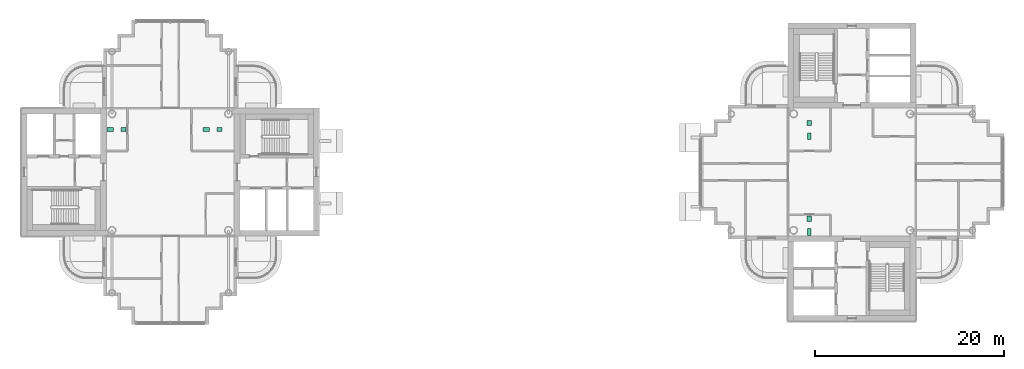
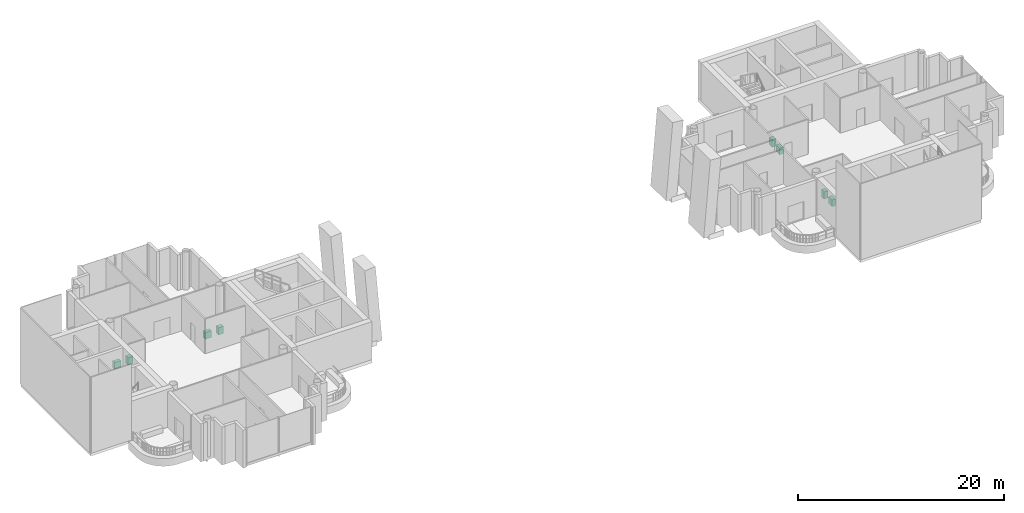
# One storey, part 19 of 19: 8 sanitary terminals.
"""IFC4 building model written with IfcOpenShell, lengths in metres."""

from ifc_helpers import new_model, si_unit, direction, frame, origin, origin_2d, place, context, subcontext, project, spatial, rectangle, extrude, material, type_object, element, save


model = new_model("IFC4")

# Units and contexts
model_context = context("Model", 3, precision=1e-05, world=origin(), true_north=direction((0.0, 1.0)))
body_context = subcontext(model_context, "Body", "Model", "MODEL_VIEW")
ifc_project = project(units=[si_unit("LENGTHUNIT", "METRE"), si_unit("AREAUNIT", "SQUARE_METRE"), si_unit("VOLUMEUNIT", "CUBIC_METRE"), si_unit("PLANEANGLEUNIT", "RADIAN"), si_unit("MASSUNIT", "GRAM", prefix="KILO")], contexts=[model_context])

# Site, building, storey
site_placement = place(None, origin())
site = spatial("IfcSite", under=ifc_project, at=site_placement, CompositionType="ELEMENT")
building_placement = place(site_placement, origin())
building = spatial("IfcBuilding", under=site, at=building_placement, Name="Ipe Terrace Towers", CompositionType="ELEMENT")
storey_placement = place(building_placement, frame((0.0, 0.0, 237.89990234375)))
storey = spatial("IfcBuildingStorey", under=building, at=storey_placement, Name="L66", CompositionType="ELEMENT", Elevation=237.89990234375)

# Sanitary terminals
ifc_material_1 = material(Name="Vitreous china", Category="ceramic")
sanitary_terminal_type_1 = type_object("IfcSanitaryTerminalType", Name="Wash basin", PredefinedType="WASHHANDBASIN", material=ifc_material_1)
for number, where, z_axis, x_axis, name in (
    (1, (-30.800048828125, 4.5, 0.0), (0.0, 0.0, 1.0), (1.0, 0.0, 0.0), "Wash basin"),
    (2, (-40.925048828125, 4.5, 0.0), (0.0, 0.0, 1.0), (1.0, 0.0, 0.0), "Wash basin"),
    (3, (31.5, 5.199951171875, 0.0), (0.0, 0.0, 1.0), (0.0, 1.0, 0.0), "Wash basin"),
    (4, (31.5, -4.925048828125, 0.0), (0.0, 0.0, 1.0), (0.0, 1.0, 0.0), "Wash basin"),
):
    element("IfcSanitaryTerminal", number, at=place(storey_placement, frame(where, z_axis=z_axis, x_axis=x_axis)), inside=storey, type_object=sanitary_terminal_type_1, Name=name, PredefinedType="WASHHANDBASIN", context=body_context, shape_type="SweptSolid", body=[
        extrude(rectangle(XDim=0.550048828125, YDim=0.449951171875, at=origin_2d()), origin(), (0.0, 0.0, 1.0), 0.85009765625),
    ])
ifc_material_2 = material(Name="Vitreous china", Category="ceramic")
sanitary_terminal_type_2 = type_object("IfcSanitaryTerminalType", Name="Water closet", PredefinedType="TOILETPAN", material=ifc_material_2)
for number, where, z_axis, x_axis, name in (
    (5, (-32.199951171875, 4.5, 0.0), (0.0, 0.0, 1.0), (1.0, 0.0, 0.0), "Water closet"),
    (6, (-42.324951171875, 4.5, 0.0), (0.0, 0.0, 1.0), (1.0, 0.0, 0.0), "Water closet"),
    (7, (31.5, 3.800048828125, 0.0), (0.0, 0.0, 1.0), (0.0, 1.0, 0.0), "Water closet"),
    (8, (31.5, -6.324951171875, 0.0), (0.0, 0.0, 1.0), (0.0, 1.0, 0.0), "Water closet"),
):
    element("IfcSanitaryTerminal", number, at=place(storey_placement, frame(where, z_axis=z_axis, x_axis=x_axis)), inside=storey, type_object=sanitary_terminal_type_2, Name=name, PredefinedType="TOILETPAN", context=body_context, shape_type="SweptSolid", body=[
        extrude(rectangle(XDim=0.699951171875, YDim=0.39990234375, at=origin_2d()), origin(), (0.0, 0.0, 1.0), 0.780029296875),
    ])

save(model, "model.ifc")
